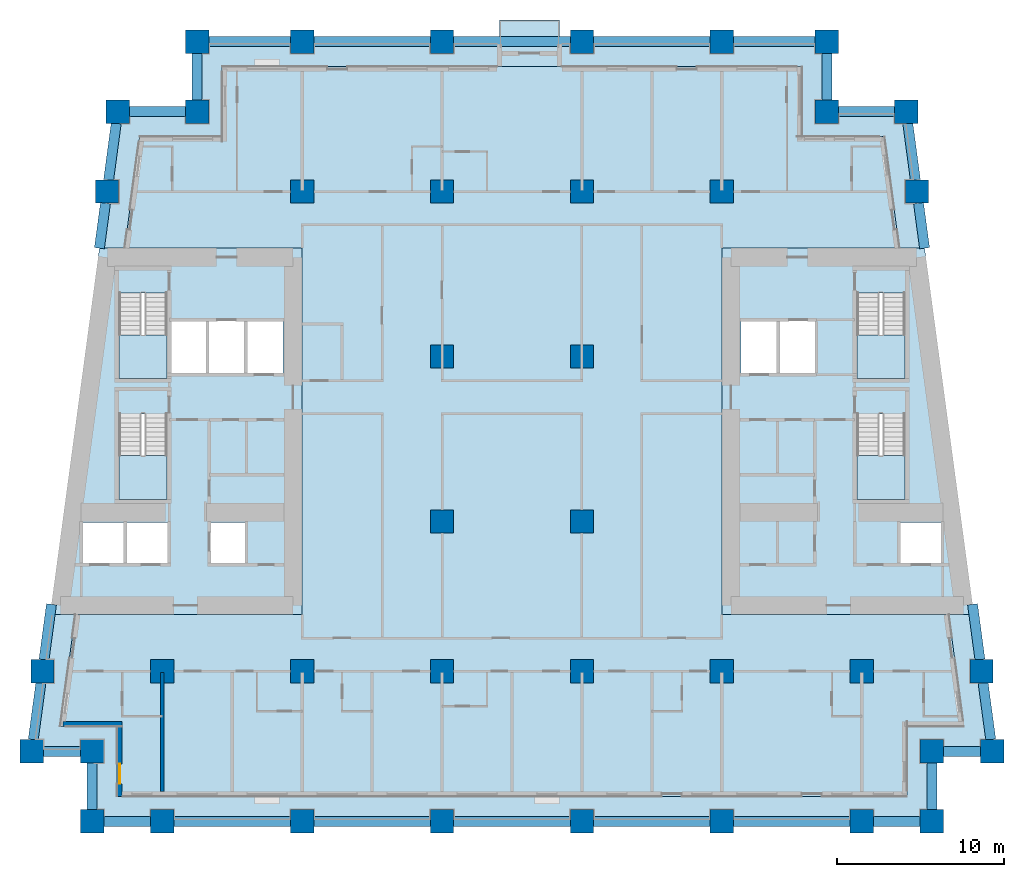
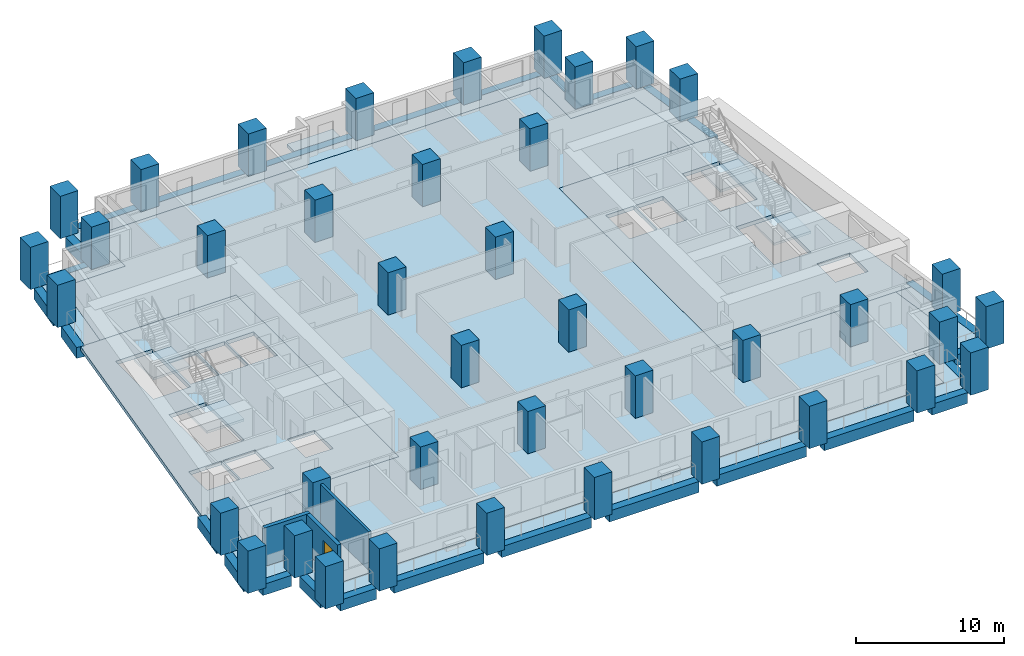
# One storey, part 1 of 12: 40 columns, 28 beams, 10 slabs, 3 walls, 1 door, 1 opening, 4 elements without a shape of their own.
"""IFC4 building model written with IfcOpenShell, lengths in metres."""

import ifcopenshell
import ifcopenshell.guid

model = None  # the IFC model being written
_history = None  # IfcOwnerHistory: only IFC2X3 demands one
_inside = {}  # id of a spatial element -> (the spatial element, [elements in it])
_under = {}  # id of a project, library or spatial element -> (it, [spatial elements below it])
_declared = {}  # id of a project -> (the project, [libraries it declares])
_typed = {}  # id of a type object -> (the type object, [elements of that type])
_made_of = {}  # id of a material, layer set ... -> (it, [elements and type objects made of it])


def new_model(schema):
    """Start an empty IFC model of exactly this schema.

    Asked for "IFC4X3", IfcOpenShell would pick the latest addendum, in which some entities
    have other attributes; the version numbers below select the first issue.
    IFC2X3 requires an IfcOwnerHistory on every rooted entity: one is made here for all.
    """
    global model, _history
    if schema == "IFC4X3":
        model = ifcopenshell.file(schema_version=(4, 3, 0, 0))
    else:
        model = ifcopenshell.file(schema=schema)
    _inside.clear()
    _under.clear()
    _declared.clear()
    _typed.clear()
    _made_of.clear()
    _history = None
    if model.schema == "IFC2X3":
        org = make("IfcOrganization", Name="unknown")
        user = make(
            "IfcPersonAndOrganization",
            ThePerson=make("IfcPerson", FamilyName="unknown"),
            TheOrganization=org,
        )
        app = make(
            "IfcApplication",
            ApplicationDeveloper=org,
            Version="unknown",
            ApplicationFullName="unknown",
            ApplicationIdentifier="unknown",
        )
        _history = make(
            "IfcOwnerHistory",
            OwningUser=user,
            OwningApplication=app,
            ChangeAction="ADDED",
            CreationDate=0,
        )
    return model


def make(cls, **values):
    """One entity of the class cls with the attributes given. An attribute that is None is left unset."""
    return model.create_entity(
        cls, **{name: value for name, value in values.items() if value is not None}
    )


def rooted(cls, **values):
    """An entity with a GlobalId (a new one), such as an element, a storey or a relation."""
    return make(cls, GlobalId=ifcopenshell.guid.new(), OwnerHistory=_history, **values)


def si_unit(unit_type, name, prefix=None):
    """IfcSIUnit, for example si_unit("LENGTHUNIT", "METRE", prefix="MILLI")."""
    return make("IfcSIUnit", UnitType=unit_type, Prefix=prefix, Name=name)


def assignment(units):
    """IfcUnitAssignment: the units of a project."""
    return None if units is None else make("IfcUnitAssignment", Units=units)


def point(xyz):
    """IfcCartesianPoint."""
    return None if xyz is None else make("IfcCartesianPoint", Coordinates=xyz)


def direction(xyz):
    """IfcDirection."""
    return None if xyz is None else make("IfcDirection", DirectionRatios=xyz)


def frame(location, z_axis=None, x_axis=None):
    """IfcAxis2Placement3D, a coordinate frame: its origin and axes. An axis left out is left unset."""
    return make(
        "IfcAxis2Placement3D",
        Location=point(location),
        Axis=direction(z_axis),
        RefDirection=direction(x_axis),
    )


def frame_2d(location, x_axis=None):
    """IfcAxis2Placement2D, a coordinate frame in the plane: its origin and x axis."""
    return make(
        "IfcAxis2Placement2D", Location=point(location), RefDirection=direction(x_axis)
    )


def origin():
    """The frame at (0, 0, 0) with its axes left unset."""
    return frame((0.0, 0.0, 0.0))


def origin_2d():
    """The frame at (0, 0) in the plane with its x axis left unset."""
    return frame_2d((0.0, 0.0))


def place(relative_to, where):
    """IfcLocalPlacement: puts the frame where relative to a parent placement (None: the world)."""
    return make(
        "IfcLocalPlacement", PlacementRelTo=relative_to, RelativePlacement=where
    )


def context(
    kind, dimensions, precision=None, world=None, true_north=None, identifier=None
):
    """IfcGeometricRepresentationContext, for example the 3D "Model" context."""
    return make(
        "IfcGeometricRepresentationContext",
        ContextIdentifier=identifier,
        ContextType=kind,
        CoordinateSpaceDimension=dimensions,
        Precision=precision,
        WorldCoordinateSystem=world,
        TrueNorth=true_north,
    )


def subcontext(parent, identifier, kind, view, scale=None):
    """IfcGeometricRepresentationSubContext, for example "Body" below "Model"."""
    return make(
        "IfcGeometricRepresentationSubContext",
        ContextIdentifier=identifier,
        ContextType=kind,
        ParentContext=parent,
        TargetScale=scale,
        TargetView=view,
    )


def project(units=None, contexts=None):
    """IfcProject with its units and contexts."""
    return rooted(
        "IfcProject",
        Name="project",
        RepresentationContexts=contexts,
        UnitsInContext=assignment(units),
    )


def spatial(cls, under=None, at=None, **own):
    """A site, building, storey or space (cls), placed at a placement, below another one or the project."""
    s = rooted(cls, ObjectPlacement=at, **own)
    if under is not None:
        _under.setdefault(under.id(), (under, []))[1].append(s)
    return s


def polyline(points):
    """IfcPolyline through the points."""
    return make("IfcPolyline", Points=[point(p) for p in points])


def profile(cls, at=None, kind="AREA", **sizes):
    """A parametric profile (cls). Its sizes go by their IFC names, for example OverallWidth=200.0."""
    return make(cls, ProfileType=kind, Position=at, **sizes)


def rectangle(**sizes):
    """IfcRectangleProfileDef."""
    return profile("IfcRectangleProfileDef", **sizes)


def outline(outer, holes=None, kind="AREA"):
    """IfcArbitraryClosedProfileDef: a profile drawn as a closed curve; with holes, ...WithVoids."""
    if holes is None:
        return make("IfcArbitraryClosedProfileDef", ProfileType=kind, OuterCurve=outer)
    return make(
        "IfcArbitraryProfileDefWithVoids",
        ProfileType=kind,
        OuterCurve=outer,
        InnerCurves=holes,
    )


def extrude(swept, where, along, depth):
    """IfcExtrudedAreaSolid: the profile swept, set in the frame where, extruded along a direction by depth."""
    return make(
        "IfcExtrudedAreaSolid",
        SweptArea=swept,
        Position=where,
        ExtrudedDirection=direction(along),
        Depth=depth,
    )


def shape(context_of_items, identifier, shape_type, items):
    """IfcShapeRepresentation: the items that make up one representation, for example the "Body"."""
    return make(
        "IfcShapeRepresentation",
        ContextOfItems=context_of_items,
        RepresentationIdentifier=identifier,
        RepresentationType=shape_type,
        Items=items,
    )


def material(Name=None, Category=None):
    """IfcMaterial."""
    return make("IfcMaterial", Name=Name, Category=Category)


def layer(
    of_material, thickness, ventilated=None, Name=None, Category=None, Priority=None
):
    """IfcMaterialLayer: one layer of a wall or slab, of a material (None: an air gap)."""
    return make(
        "IfcMaterialLayer",
        Material=of_material,
        LayerThickness=thickness,
        IsVentilated=ventilated,
        Name=Name,
        Category=Category,
        Priority=Priority,
    )


def layer_set(layers, Name=None):
    """IfcMaterialLayerSet."""
    return make("IfcMaterialLayerSet", MaterialLayers=layers, LayerSetName=Name)


def material_profile(
    of_material, cross_section, Name=None, Category=None, Priority=None
):
    """IfcMaterialProfile: a cross section and its material."""
    return make(
        "IfcMaterialProfile",
        Name=Name,
        Material=of_material,
        Profile=cross_section,
        Priority=Priority,
        Category=Category,
    )


def profile_set(profiles, Name=None, composite=None):
    """IfcMaterialProfileSet."""
    return make(
        "IfcMaterialProfileSet",
        Name=Name,
        MaterialProfiles=profiles,
        CompositeProfile=composite,
    )


def made_of(thing, what):
    """Note that an element or type object is made of a material, layer set ...; save() writes the relation."""
    if what is not None:
        _made_of.setdefault(what.id(), (what, []))[1].append(thing)
    return thing


def type_object(cls, material=None, **own):
    """A type object (cls), such as IfcWallType, which elements share."""
    return made_of(rooted(cls, **own), material)


def element(
    cls,
    number,
    at=None,
    inside=None,
    cuts=None,
    type_object=None,
    material=None,
    context=None,
    identifier="Body",
    shape_type=None,
    held_by="IfcProductDefinitionShape",
    body=None,
    shapes=None,
    **own,
):
    """One element of the class cls, such as IfcWall. Its Tag is "e" and its number.

    at: its placement. inside: the storey or other place that contains it. cuts: it is an
    opening in that element (IfcRelVoidsElement). A single representation is given by context,
    identifier, shape_type and body (its items); several are given by shapes. held_by: the class
    of the entity that holds the representations. save() writes the other relations.
    """
    e = rooted(cls, Tag="e%d" % number, ObjectPlacement=at, **own)
    if body is not None:
        shapes = [shape(context, identifier, shape_type, body)]
    if shapes is not None:
        e.Representation = make(held_by, Representations=shapes)
    if inside is not None:
        _inside.setdefault(inside.id(), (inside, []))[1].append(e)
    if cuts is not None:
        rooted(
            "IfcRelVoidsElement", RelatingBuildingElement=cuts, RelatedOpeningElement=e
        )
    if type_object is not None:
        _typed.setdefault(type_object.id(), (type_object, []))[1].append(e)
    return made_of(e, material)


def fill(opening, filler):
    """IfcRelFillsElement: the door or window that sits in an opening."""
    return rooted(
        "IfcRelFillsElement",
        RelatingOpeningElement=opening,
        RelatedBuildingElement=filler,
    )


def aggregate(whole, parts):
    """IfcRelAggregates: a whole, such as a stair, and the parts it consists of."""
    return rooted("IfcRelAggregates", RelatingObject=whole, RelatedObjects=parts)


def save(model, path):
    """Write the relations noted so far, then the file.

    IfcRelAggregates (storeys below a building ...), IfcRelContainedInSpatialStructure (elements
    in a storey), IfcRelDefinesByType, IfcRelAssociatesMaterial and IfcRelDeclares: one each for
    every whole, place, type object, material and project.
    """
    for whole, parts in _under.values():
        aggregate(whole, parts)
    for where, things in _inside.values():
        rooted(
            "IfcRelContainedInSpatialStructure",
            RelatedElements=things,
            RelatingStructure=where,
        )
    for kind, things in _typed.values():
        rooted("IfcRelDefinesByType", RelatedObjects=things, RelatingType=kind)
    for what, things in _made_of.values():
        rooted("IfcRelAssociatesMaterial", RelatedObjects=things, RelatingMaterial=what)
    for by, libraries in _declared.values():
        rooted("IfcRelDeclares", RelatingContext=by, RelatedDefinitions=libraries)
    model.write(path)


model = new_model("IFC4")

# Units and contexts
model_context = context("Model", 3, precision=1e-05, world=origin(), true_north=direction((0.0, 1.0)))
body_context = subcontext(model_context, "Body", "Model", "MODEL_VIEW")
ifc_project = project(units=[si_unit("LENGTHUNIT", "METRE"), si_unit("AREAUNIT", "SQUARE_METRE"), si_unit("VOLUMEUNIT", "CUBIC_METRE"), si_unit("PLANEANGLEUNIT", "RADIAN"), si_unit("MASSUNIT", "GRAM", prefix="KILO")], contexts=[model_context])

# Site, building, storey
site_placement = place(None, origin())
site = spatial("IfcSite", under=ifc_project, at=site_placement, CompositionType="ELEMENT")
building_placement = place(site_placement, origin())
building = spatial("IfcBuilding", under=site, at=building_placement, Name="Candeia Pilgrim Tower and Theatre", CompositionType="ELEMENT")
storey_placement = place(building_placement, frame((0.0, 0.0, 49.5)))
storey = spatial("IfcBuildingStorey", under=building, at=storey_placement, Name="L09", CompositionType="ELEMENT", Elevation=49.5)

# Columns
ifc_material_1 = material(Name="Concrete C80/95", Category="concrete")
ifc_material_profile_1 = material_profile(ifc_material_1, rectangle(XDim=1.39990234375, YDim=1.39990234375, at=origin_2d()))
ifc_profile_set_1 = profile_set([ifc_material_profile_1], Name="Concrete C80/95")
column_type = type_object("IfcColumnType", Name="RC 1400x1400 C80/95", PredefinedType="COLUMN", material=ifc_profile_set_1)
for number, where, z_axis, x_axis, name in (
    (1, (92.39990234375, 98.0, 0.0), (0.0, 0.0, 1.0), (1.0, 0.0, 0.0), "Column A1"),
    (2, (100.800048828125, 98.0, 0.0), (0.0, 0.0, 1.0), (1.0, 0.0, 0.0), "Column A2"),
    (3, (109.199951171875, 98.0, 0.0), (0.0, 0.0, 1.0), (1.0, 0.0, 0.0), "Column A3"),
    (4, (117.60009765625, 98.0, 0.0), (0.0, 0.0, 1.0), (1.0, 0.0, 0.0), "Column A4"),
    (5, (126.0, 98.0, 0.0), (0.0, 0.0, 1.0), (1.0, 0.0, 0.0), "Column A5"),
    (6, (134.39990234375, 98.0, 0.0), (0.0, 0.0, 1.0), (1.0, 0.0, 0.0), "Column A6"),
    (7, (88.199951171875, 98.0, 0.0), (0.0, 0.0, 1.0), (1.0, 0.0, 0.0), "Column AW"),
    (8, (138.60009765625, 98.0, 0.0), (0.0, 0.0, 1.0), (1.0, 0.0, 0.0), "Column AE"),
    (9, (88.199951171875, 102.199951171875, 0.0), (0.0, 0.0, 1.0), (1.0, 0.0, 0.0), "Column NSW"),
    (10, (138.60009765625, 102.199951171875, 0.0), (0.0, 0.0, 1.0), (1.0, 0.0, 0.0), "Column NSE"),
    (11, (94.5, 140.60009765625, 0.0), (0.0, 0.0, 1.0), (1.0, 0.0, 0.0), "Column NNW"),
    (12, (132.300048828125, 140.60009765625, 0.0), (0.0, 0.0, 1.0), (1.0, 0.0, 0.0), "Column NNE"),
    (13, (84.5654296875, 102.199951171875, 0.0), (0.0, 0.0, 1.0), (1.0, 0.0, 0.0), "Column LSW"),
    (14, (142.234619140625, 102.199951171875, 0.0), (0.0, 0.0, 1.0), (1.0, 0.0, 0.0), "Column LSE"),
    (15, (89.734619140625, 140.60009765625, 0.0), (0.0, 0.0, 1.0), (1.0, 0.0, 0.0), "Column LNW"),
    (16, (137.0654296875, 140.60009765625, 0.0), (0.0, 0.0, 1.0), (1.0, 0.0, 0.0), "Column LNE"),
    (17, (92.39990234375, 107.0, 0.0), (0.0, 0.0, 1.0), (1.0, 0.0, 0.0), "Column B1"),
    (18, (100.800048828125, 107.0, 0.0), (0.0, 0.0, 1.0), (1.0, 0.0, 0.0), "Column B2"),
    (19, (109.199951171875, 107.0, 0.0), (0.0, 0.0, 1.0), (1.0, 0.0, 0.0), "Column B3"),
    (20, (117.60009765625, 107.0, 0.0), (0.0, 0.0, 1.0), (1.0, 0.0, 0.0), "Column B4"),
    (21, (126.0, 107.0, 0.0), (0.0, 0.0, 1.0), (1.0, 0.0, 0.0), "Column B5"),
    (22, (134.39990234375, 107.0, 0.0), (0.0, 0.0, 1.0), (1.0, 0.0, 0.0), "Column B6"),
    (23, (85.21142578125, 107.0, 0.0), (0.0, 0.0, 1.0), (1.0, 0.0, 0.0), "Column BW"),
    (24, (141.58837890625, 107.0, 0.0), (0.0, 0.0, 1.0), (1.0, 0.0, 0.0), "Column BE"),
    (25, (109.199951171875, 116.0, 0.0), (0.0, 0.0, 1.0), (1.0, 0.0, 0.0), "Column C3"),
    (26, (117.60009765625, 116.0, 0.0), (0.0, 0.0, 1.0), (1.0, 0.0, 0.0), "Column C4"),
    (27, (109.199951171875, 125.89990234375, 0.0), (0.0, 0.0, 1.0), (1.0, 0.0, 0.0), "Column D3"),
    (28, (117.60009765625, 125.89990234375, 0.0), (0.0, 0.0, 1.0), (1.0, 0.0, 0.0), "Column D4"),
    (29, (100.800048828125, 135.800048828125, 0.0), (0.0, 0.0, 1.0), (1.0, 0.0, 0.0), "Column E2"),
    (30, (109.199951171875, 135.800048828125, 0.0), (0.0, 0.0, 1.0), (1.0, 0.0, 0.0), "Column E3"),
    (31, (117.60009765625, 135.800048828125, 0.0), (0.0, 0.0, 1.0), (1.0, 0.0, 0.0), "Column E4"),
    (32, (126.0, 135.800048828125, 0.0), (0.0, 0.0, 1.0), (1.0, 0.0, 0.0), "Column E5"),
    (33, (89.08837890625, 135.800048828125, 0.0), (0.0, 0.0, 1.0), (1.0, 0.0, 0.0), "Column EW"),
    (34, (137.71142578125, 135.800048828125, 0.0), (0.0, 0.0, 1.0), (1.0, 0.0, 0.0), "Column EE"),
    (35, (100.800048828125, 144.800048828125, 0.0), (0.0, 0.0, 1.0), (1.0, 0.0, 0.0), "Column F2"),
    (36, (109.199951171875, 144.800048828125, 0.0), (0.0, 0.0, 1.0), (1.0, 0.0, 0.0), "Column F3"),
    (37, (117.60009765625, 144.800048828125, 0.0), (0.0, 0.0, 1.0), (1.0, 0.0, 0.0), "Column F4"),
    (38, (126.0, 144.800048828125, 0.0), (0.0, 0.0, 1.0), (1.0, 0.0, 0.0), "Column F5"),
    (39, (94.5, 144.800048828125, 0.0), (0.0, 0.0, 1.0), (1.0, 0.0, 0.0), "Column FW"),
    (40, (132.300048828125, 144.800048828125, 0.0), (0.0, 0.0, 1.0), (1.0, 0.0, 0.0), "Column FE"),
):
    element("IfcColumn", number, at=place(storey_placement, frame(where, z_axis=z_axis, x_axis=x_axis)), inside=storey, type_object=column_type, Name=name, PredefinedType="COLUMN", context=body_context, shape_type="SweptSolid", body=[
        extrude(rectangle(XDim=1.39990234375, YDim=1.39990234375, at=origin_2d()), origin(), (0.0, 0.0, 1.0), 3.5),
    ])

# Beams
ifc_material_profile_2 = material_profile(ifc_material_1, rectangle(XDim=0.60009765625, YDim=0.89990234375, at=origin_2d()))
ifc_profile_set_2 = profile_set([ifc_material_profile_2], Name="Concrete C80/95")
beam_type = type_object("IfcBeamType", Name="RC 600x900 C80/95", PredefinedType="BEAM", material=ifc_profile_set_2)
beam_1_placement = place(storey_placement, frame((88.89990234375, 98.0, -0.449951171875), z_axis=(1.0, 0.0, 0.0), x_axis=(0.0, 1.0, 0.0)))
element("IfcBeam", 41, at=beam_1_placement, inside=storey, type_object=beam_type, Name="Spandrel beam L09-01", PredefinedType="BEAM", context=body_context, shape_type="SweptSolid", body=[
    extrude(rectangle(XDim=0.60009765625, YDim=0.89990234375, at=origin_2d()), origin(), (0.0, 0.0, 1.0), 2.800048828125),
])
for number, where, z_axis, x_axis, name in (
    (42, (93.10009765625, 98.0, -0.449951171875), (1.0, 0.0, 0.0), (0.0, 1.0, 0.0), "Spandrel beam L09-02"),
    (43, (101.5, 98.0, -0.449951171875), (1.0, 0.0, 0.0), (0.0, 1.0, 0.0), "Spandrel beam L09-03"),
    (44, (109.89990234375, 98.0, -0.449951171875), (1.0, 0.0, 0.0), (0.0, 1.0, 0.0), "Spandrel beam L09-04"),
    (45, (118.300048828125, 98.0, -0.449951171875), (1.0, 0.0, 0.0), (0.0, 1.0, 0.0), "Spandrel beam L09-05"),
    (46, (126.699951171875, 98.0, -0.449951171875), (1.0, 0.0, 0.0), (0.0, 1.0, 0.0), "Spandrel beam L09-06"),
):
    element("IfcBeam", number, at=place(storey_placement, frame(where, z_axis=z_axis, x_axis=x_axis)), inside=storey, type_object=beam_type, Name=name, PredefinedType="BEAM", context=body_context, shape_type="SweptSolid", body=[
        extrude(rectangle(XDim=0.60009765625, YDim=0.89990234375, at=origin_2d()), origin(), (0.0, 0.0, 1.0), 7.0),
    ])
beam_2_placement = place(storey_placement, frame((135.10009765625, 98.0, -0.449951171875), z_axis=(1.0, 0.0, 0.0), x_axis=(0.0, 1.0, 0.0)))
element("IfcBeam", 47, at=beam_2_placement, inside=storey, type_object=beam_type, Name="Spandrel beam L09-07", PredefinedType="BEAM", context=body_context, shape_type="SweptSolid", body=[
    extrude(rectangle(XDim=0.60009765625, YDim=0.89990234375, at=origin_2d()), origin(), (0.0, 0.0, 1.0), 2.7998046875),
])
beam_3_placement = place(storey_placement, frame((138.60009765625, 98.699951171875, -0.449951171875), z_axis=(0.0, 1.0, 0.0), x_axis=(-1.0, 0.0, 0.0)))
element("IfcBeam", 48, at=beam_3_placement, inside=storey, type_object=beam_type, Name="Spandrel beam L09-08", PredefinedType="BEAM", context=body_context, shape_type="SweptSolid", body=[
    extrude(rectangle(XDim=0.60009765625, YDim=0.89990234375, at=origin_2d()), origin(), (0.0, 0.0, 1.0), 2.800048828125),
])
beam_4_placement = place(storey_placement, frame((139.300048828125, 102.199951171875, -0.449951171875), z_axis=(1.0, 0.0, 0.0), x_axis=(0.0, 1.0, 0.0)))
element("IfcBeam", 49, at=beam_4_placement, inside=storey, type_object=beam_type, Name="Spandrel beam L09-09", PredefinedType="BEAM", context=body_context, shape_type="SweptSolid", body=[
    extrude(rectangle(XDim=0.60009765625, YDim=0.89990234375, at=origin_2d()), origin(), (0.0, 0.0, 1.0), 2.234619140625),
])
beam_5_placement = place(storey_placement, frame((142.140380859375, 102.89990234375, -0.449951171875), z_axis=(-0.133426797477, 0.991058671177, 0.0), x_axis=(-0.991058671177, -0.133426797477, 0.0)))
element("IfcBeam", 50, at=beam_5_placement, inside=storey, type_object=beam_type, Name="Spandrel beam L09-10", PredefinedType="BEAM", context=body_context, shape_type="SweptSolid", body=[
    extrude(rectangle(XDim=0.60009765625, YDim=0.89990234375, at=origin_2d()), origin(), (0.0, 0.0, 1.0), 3.430908203125),
])
beam_6_placement = place(storey_placement, frame((141.494140625, 107.699951171875, -0.449951171875), z_axis=(-0.13337488337, 0.991065659019, 0.0), x_axis=(-0.991065659019, -0.13337488337, 0.0)))
element("IfcBeam", 51, at=beam_6_placement, inside=storey, type_object=beam_type, Name="Spandrel beam L09-11", PredefinedType="BEAM", context=body_context, shape_type="SweptSolid", body=[
    extrude(rectangle(XDim=0.60009765625, YDim=0.89990234375, at=origin_2d()), origin(), (0.0, 0.0, 1.0), 3.353515625),
])
beam_7_placement = place(storey_placement, frame((138.169189453125, 132.39990234375, -0.449951171875), z_axis=(-0.133425552527, 0.991058838784, 0.0), x_axis=(-0.991058838784, -0.133425552527, 0.0)))
element("IfcBeam", 52, at=beam_7_placement, inside=storey, type_object=beam_type, Name="Spandrel beam L09-12", PredefinedType="BEAM", context=body_context, shape_type="SweptSolid", body=[
    extrude(rectangle(XDim=0.60009765625, YDim=0.89990234375, at=origin_2d()), origin(), (0.0, 0.0, 1.0), 2.724609375),
])
beam_8_placement = place(storey_placement, frame((137.6171875, 136.5, -0.449951171875), z_axis=(-0.13336630817, 0.991066813008, 0.0), x_axis=(-0.991066813008, -0.13336630817, 0.0)))
element("IfcBeam", 53, at=beam_8_placement, inside=storey, type_object=beam_type, Name="Spandrel beam L09-13", PredefinedType="BEAM", context=body_context, shape_type="SweptSolid", body=[
    extrude(rectangle(XDim=0.60009765625, YDim=0.89990234375, at=origin_2d()), origin(), (0.0, 0.0, 1.0), 3.4306640625),
])
beam_9_placement = place(storey_placement, frame((136.365478515625, 140.60009765625, -0.449951171875), z_axis=(-1.0, 0.0, 0.0), x_axis=(0.0, -1.0, 0.0)))
element("IfcBeam", 54, at=beam_9_placement, inside=storey, type_object=beam_type, Name="Spandrel beam L09-14", PredefinedType="BEAM", context=body_context, shape_type="SweptSolid", body=[
    extrude(rectangle(XDim=0.60009765625, YDim=0.89990234375, at=origin_2d()), origin(), (0.0, 0.0, 1.0), 3.365478515625),
])
beam_10_placement = place(storey_placement, frame((132.300048828125, 141.300048828125, -0.449951171875), z_axis=(0.0, 1.0, 0.0), x_axis=(-1.0, 0.0, 0.0)))
element("IfcBeam", 55, at=beam_10_placement, inside=storey, type_object=beam_type, Name="Spandrel beam L09-15", PredefinedType="BEAM", context=body_context, shape_type="SweptSolid", body=[
    extrude(rectangle(XDim=0.60009765625, YDim=0.89990234375, at=origin_2d()), origin(), (0.0, 0.0, 1.0), 2.800048828125),
])
beam_11_placement = place(storey_placement, frame((131.60009765625, 144.800048828125, -0.449951171875), z_axis=(-1.0, 0.0, 0.0), x_axis=(0.0, -1.0, 0.0)))
element("IfcBeam", 56, at=beam_11_placement, inside=storey, type_object=beam_type, Name="Spandrel beam L09-16", PredefinedType="BEAM", context=body_context, shape_type="SweptSolid", body=[
    extrude(rectangle(XDim=0.60009765625, YDim=0.89990234375, at=origin_2d()), origin(), (0.0, 0.0, 1.0), 4.900146484375),
])
for number, where, z_axis, x_axis, name in (
    (57, (125.300048828125, 144.800048828125, -0.449951171875), (-1.0, 0.0, 0.0), (0.0, -1.0, 0.0), "Spandrel beam L09-17"),
    (58, (116.89990234375, 144.800048828125, -0.449951171875), (-1.0, 0.0, 0.0), (0.0, -1.0, 0.0), "Spandrel beam L09-18"),
    (59, (108.5, 144.800048828125, -0.449951171875), (-1.0, 0.0, 0.0), (0.0, -1.0, 0.0), "Spandrel beam L09-19"),
):
    element("IfcBeam", number, at=place(storey_placement, frame(where, z_axis=z_axis, x_axis=x_axis)), inside=storey, type_object=beam_type, Name=name, PredefinedType="BEAM", context=body_context, shape_type="SweptSolid", body=[
        extrude(rectangle(XDim=0.60009765625, YDim=0.89990234375, at=origin_2d()), origin(), (0.0, 0.0, 1.0), 7.0),
    ])
beam_12_placement = place(storey_placement, frame((100.10009765625, 144.800048828125, -0.449951171875), z_axis=(-1.0, 0.0, 0.0), x_axis=(0.0, -1.0, 0.0)))
element("IfcBeam", 60, at=beam_12_placement, inside=storey, type_object=beam_type, Name="Spandrel beam L09-20", PredefinedType="BEAM", context=body_context, shape_type="SweptSolid", body=[
    extrude(rectangle(XDim=0.60009765625, YDim=0.89990234375, at=origin_2d()), origin(), (0.0, 0.0, 1.0), 4.900146484375),
])
beam_13_placement = place(storey_placement, frame((94.5, 144.10009765625, -0.449951171875), z_axis=(0.0, -1.0, 0.0), x_axis=(1.0, 0.0, 0.0)))
element("IfcBeam", 61, at=beam_13_placement, inside=storey, type_object=beam_type, Name="Spandrel beam L09-21", PredefinedType="BEAM", context=body_context, shape_type="SweptSolid", body=[
    extrude(rectangle(XDim=0.60009765625, YDim=0.89990234375, at=origin_2d()), origin(), (0.0, 0.0, 1.0), 2.800048828125),
])
beam_14_placement = place(storey_placement, frame((93.800048828125, 140.60009765625, -0.449951171875), z_axis=(-1.0, 0.0, 0.0), x_axis=(0.0, -1.0, 0.0)))
element("IfcBeam", 62, at=beam_14_placement, inside=storey, type_object=beam_type, Name="Spandrel beam L09-22", PredefinedType="BEAM", context=body_context, shape_type="SweptSolid", body=[
    extrude(rectangle(XDim=0.60009765625, YDim=0.89990234375, at=origin_2d()), origin(), (0.0, 0.0, 1.0), 3.365478515625),
])
beam_15_placement = place(storey_placement, frame((89.640380859375, 139.89990234375, -0.449951171875), z_axis=(-0.133436208017, -0.991057404185, 0.0), x_axis=(0.991057404185, -0.133436208017, 0.0)))
element("IfcBeam", 63, at=beam_15_placement, inside=storey, type_object=beam_type, Name="Spandrel beam L09-23", PredefinedType="BEAM", context=body_context, shape_type="SweptSolid", body=[
    extrude(rectangle(XDim=0.60009765625, YDim=0.89990234375, at=origin_2d()), origin(), (0.0, 0.0, 1.0), 3.4306640625),
])
beam_16_placement = place(storey_placement, frame((88.994140625, 135.10009765625, -0.449951171875), z_axis=(-0.133337538686, -0.991070684047, 0.0), x_axis=(0.991070684047, -0.133337538686, 0.0)))
element("IfcBeam", 64, at=beam_16_placement, inside=storey, type_object=beam_type, Name="Spandrel beam L09-24", PredefinedType="BEAM", context=body_context, shape_type="SweptSolid", body=[
    extrude(rectangle(XDim=0.60009765625, YDim=0.89990234375, at=origin_2d()), origin(), (0.0, 0.0, 1.0), 2.724609375),
])
beam_17_placement = place(storey_placement, frame((85.753173828125, 111.0234375, -0.449951171875), z_axis=(-0.133446390132, -0.991056033209, 0.0), x_axis=(0.991056033209, -0.133446390132, 0.0)))
element("IfcBeam", 65, at=beam_17_placement, inside=storey, type_object=beam_type, Name="Spandrel beam L09-25", PredefinedType="BEAM", context=body_context, shape_type="SweptSolid", body=[
    extrude(rectangle(XDim=0.60009765625, YDim=0.89990234375, at=origin_2d()), origin(), (0.0, 0.0, 1.0), 3.353515625),
])
beam_18_placement = place(storey_placement, frame((85.1171875, 106.300048828125, -0.449951171875), z_axis=(-0.133356902381, -0.991068078685, 0.0), x_axis=(0.991068078685, -0.133356902381, 0.0)))
element("IfcBeam", 66, at=beam_18_placement, inside=storey, type_object=beam_type, Name="Spandrel beam L09-26", PredefinedType="BEAM", context=body_context, shape_type="SweptSolid", body=[
    extrude(rectangle(XDim=0.60009765625, YDim=0.89990234375, at=origin_2d()), origin(), (0.0, 0.0, 1.0), 3.430908203125),
])
beam_19_placement = place(storey_placement, frame((85.265380859375, 102.199951171875, -0.449951171875), z_axis=(1.0, 0.0, 0.0), x_axis=(0.0, 1.0, 0.0)))
element("IfcBeam", 67, at=beam_19_placement, inside=storey, type_object=beam_type, Name="Spandrel beam L09-27", PredefinedType="BEAM", context=body_context, shape_type="SweptSolid", body=[
    extrude(rectangle(XDim=0.60009765625, YDim=0.89990234375, at=origin_2d()), origin(), (0.0, 0.0, 1.0), 2.234619140625),
])
beam_20_placement = place(storey_placement, frame((88.199951171875, 101.5, -0.449951171875), z_axis=(0.0, -1.0, 0.0), x_axis=(1.0, 0.0, 0.0)))
element("IfcBeam", 68, at=beam_20_placement, inside=storey, type_object=beam_type, Name="Spandrel beam L09-28", PredefinedType="BEAM", context=body_context, shape_type="SweptSolid", body=[
    extrude(rectangle(XDim=0.60009765625, YDim=0.89990234375, at=origin_2d()), origin(), (0.0, 0.0, 1.0), 2.800048828125),
])

# Slabs
ifc_material_2 = material(Name="Concrete C40/50", Category="concrete")
ifc_layer_1 = layer(ifc_material_2, 0.25)
ifc_layer_set_1 = layer_set([ifc_layer_1], Name="BK1 balcony slab 250")
slab_type_1 = type_object("IfcSlabType", Name="BK1 balcony slab 250", PredefinedType="USERDEFINED", material=ifc_layer_set_1)
slab_1_placement = place(storey_placement, frame((0.0, 0.0, -0.25)))
element("IfcSlab", 69, at=slab_1_placement, inside=storey, type_object=slab_type_1, Name="Balcony L09", ObjectType="BALCONY", PredefinedType="USERDEFINED", context=body_context, shape_type="SweptSolid", body=[
    extrude(outline(polyline([(112.64990234375, 144.5), (116.25, 144.5), (116.25, 146.10009765625), (112.64990234375, 146.10009765625), (112.64990234375, 144.5)])), origin(), (0.0, 0.0, 1.0), 0.25),
])
ifc_material_3 = material(Name="Concrete C60/75", Category="concrete")
ifc_layer_2 = layer(ifc_material_3, 0.320068359375)
ifc_layer_set_2 = layer_set([ifc_layer_2], Name="FS-CORE 320 core floor")
slab_type_2 = type_object("IfcSlabType", Name="FS-CORE 320 core floor", PredefinedType="FLOOR", material=ifc_layer_set_2)
slab_2_placement = place(storey_placement, frame((0.0, 0.0, -0.320068359375)))
element("IfcSlab", 70, at=slab_2_placement, inside=storey, type_object=slab_type_2, Name="Core floor W L09", PredefinedType="FLOOR", context=body_context, shape_type="SweptSolid", body=[
    extrude(outline(polyline([(100.800048828125, 132.39990234375), (100.800048828125, 110.39990234375), (85.669189453125, 110.39990234375), (88.630859375, 132.39990234375), (100.800048828125, 132.39990234375)]), holes=[polyline([(97.458984375, 128.050048828125), (97.458984375, 124.85009765625), (99.64990234375, 124.85009765625), (99.64990234375, 128.050048828125), (97.458984375, 128.050048828125)]), polyline([(95.277099609375, 115.949951171875), (95.277099609375, 113.449951171875), (97.41357421875, 113.449951171875), (97.41357421875, 115.949951171875), (95.277099609375, 115.949951171875)]), polyline([(95.16796875, 128.050048828125), (95.16796875, 124.85009765625), (97.35888671875, 124.85009765625), (97.35888671875, 128.050048828125), (95.16796875, 128.050048828125)]), polyline([(92.876953125, 128.050048828125), (92.876953125, 124.85009765625), (95.068115234375, 124.85009765625), (95.068115234375, 128.050048828125), (92.876953125, 128.050048828125)]), polyline([(90.228515625, 115.949951171875), (90.228515625, 113.449951171875), (92.777099609375, 113.449951171875), (92.777099609375, 115.949951171875), (90.228515625, 115.949951171875)]), polyline([(89.802001953125, 122.455078125), (89.802001953125, 117.324951171875), (92.701904296875, 117.324951171875), (92.701904296875, 122.455078125), (89.802001953125, 122.455078125)]), polyline([(89.802001953125, 129.705078125), (89.802001953125, 124.574951171875), (92.701904296875, 124.574951171875), (92.701904296875, 129.705078125), (89.802001953125, 129.705078125)]), polyline([(87.580078125, 115.949951171875), (87.580078125, 113.449951171875), (90.12841796875, 113.449951171875), (90.12841796875, 115.949951171875), (87.580078125, 115.949951171875)])]), origin(), (0.0, 0.0, 1.0), 0.320068359375),
])
slab_3_placement = place(storey_placement, frame((0.0, 0.0, -0.320068359375)))
element("IfcSlab", 71, at=slab_3_placement, inside=storey, type_object=slab_type_2, Name="Core floor E L09", PredefinedType="FLOOR", context=body_context, shape_type="SweptSolid", body=[
    extrude(outline(polyline([(138.169189453125, 132.39990234375), (141.130859375, 110.39990234375), (126.0, 110.39990234375), (126.0, 132.39990234375), (138.169189453125, 132.39990234375)]), holes=[polyline([(136.67138671875, 115.949951171875), (136.67138671875, 113.449951171875), (139.219970703125, 113.449951171875), (139.219970703125, 115.949951171875), (136.67138671875, 115.949951171875)]), polyline([(134.097900390625, 117.324951171875), (136.998046875, 117.324951171875), (136.998046875, 122.455078125), (134.097900390625, 122.455078125), (134.097900390625, 117.324951171875)]), polyline([(134.097900390625, 129.705078125), (134.097900390625, 124.574951171875), (136.998046875, 124.574951171875), (136.998046875, 129.705078125), (134.097900390625, 129.705078125)]), polyline([(131.632080078125, 128.050048828125), (129.44091796875, 128.050048828125), (129.44091796875, 124.85009765625), (131.632080078125, 124.85009765625), (131.632080078125, 128.050048828125)]), polyline([(127.14990234375, 128.050048828125), (127.14990234375, 124.85009765625), (129.341064453125, 124.85009765625), (129.341064453125, 128.050048828125), (127.14990234375, 128.050048828125)])]), origin(), (0.0, 0.0, 1.0), 0.320068359375),
])
ifc_material_4 = material(Name="Concrete C50/60", Category="concrete")
ifc_layer_3 = layer(ifc_material_4, 0.320068359375)
ifc_layer_set_3 = layer_set([ifc_layer_3], Name="Floor slab 320 C50/60")
slab_type_3 = type_object("IfcSlabType", Name="Floor slab 320 C50/60", PredefinedType="FLOOR", material=ifc_layer_set_3)
slab_4_placement = place(storey_placement, frame((0.0, 0.0, -0.320068359375)))
element("IfcSlab", 72, at=slab_4_placement, inside=storey, type_object=slab_type_3, Name="Floor slab L09", PredefinedType="FLOOR", context=body_context, shape_type="SweptSolid", body=[
    extrude(outline(polyline([(96.0, 139.10009765625), (96.0, 143.300048828125), (130.800048828125, 143.300048828125), (130.800048828125, 139.10009765625), (135.753662109375, 139.10009765625), (136.65576171875, 132.39990234375), (126.0, 132.39990234375), (126.0, 110.39990234375), (139.6171875, 110.39990234375), (140.51904296875, 103.699951171875), (137.10009765625, 103.699951171875), (137.10009765625, 99.5), (89.699951171875, 99.5), (89.699951171875, 103.699951171875), (86.28076171875, 103.699951171875), (87.182861328125, 110.39990234375), (100.800048828125, 110.39990234375), (100.800048828125, 132.39990234375), (90.144287109375, 132.39990234375), (91.046142578125, 139.10009765625), (96.0, 139.10009765625)])), origin(), (0.0, 0.0, 1.0), 0.320068359375),
])
ifc_layer_4 = layer(ifc_material_2, 0.25)
ifc_layer_set_4 = layer_set([ifc_layer_4], Name="Loggia slab 250 C40/50")
slab_type_4 = type_object("IfcSlabType", Name="Loggia slab 250 C40/50", PredefinedType="FLOOR", material=ifc_layer_set_4)
slab_5_placement = place(storey_placement, frame((0.0, 0.0, -0.25)))
element("IfcSlab", 73, at=slab_5_placement, inside=storey, type_object=slab_type_4, Name="Loggia slab L09 1", PredefinedType="FLOOR", context=body_context, shape_type="SweptSolid", body=[
    extrude(outline(polyline([(87.182861328125, 110.39990234375), (86.28076171875, 103.699951171875), (89.699951171875, 103.699951171875), (89.699951171875, 99.5), (137.10009765625, 99.5), (137.10009765625, 103.699951171875), (140.51904296875, 103.699951171875), (139.6171875, 110.39990234375), (140.828125, 110.39990234375), (141.8916015625, 102.5), (138.300048828125, 102.5), (138.300048828125, 98.300048828125), (88.5, 98.300048828125), (88.5, 102.5), (84.908447265625, 102.5), (85.971923828125, 110.39990234375), (87.182861328125, 110.39990234375)])), origin(), (0.0, 0.0, 1.0), 0.25),
])
slab_6_placement = place(storey_placement, frame((0.0, 0.0, -0.25)))
element("IfcSlab", 74, at=slab_6_placement, inside=storey, type_object=slab_type_4, Name="Loggia slab L09 2", PredefinedType="FLOOR", context=body_context, shape_type="SweptSolid", body=[
    extrude(outline(polyline([(136.65576171875, 132.39990234375), (135.753662109375, 139.10009765625), (130.800048828125, 139.10009765625), (130.800048828125, 143.300048828125), (96.0, 143.300048828125), (96.0, 139.10009765625), (91.046142578125, 139.10009765625), (90.144287109375, 132.39990234375), (88.93359375, 132.39990234375), (89.996826171875, 140.300048828125), (94.800048828125, 140.300048828125), (94.800048828125, 144.5), (132.0, 144.5), (132.0, 140.300048828125), (136.802978515625, 140.300048828125), (137.866455078125, 132.39990234375), (136.65576171875, 132.39990234375)])), origin(), (0.0, 0.0, 1.0), 0.25),
])

# Stair, slab
stair_type = type_object("IfcStairType", Name="ST-TWR dog-leg escape stair", PredefinedType="HALF_TURN_STAIR", material=ifc_material_2)
stair_1_placement = place(storey_placement, origin())
stair_1 = element("IfcStair", 75, at=stair_1_placement, inside=storey, type_object=stair_type, Name="L09 Escape stair ST1", PredefinedType="HALF_TURN_STAIR")
ifc_layer_5 = layer(ifc_material_2, 0.199951171875)
ifc_layer_set_5 = layer_set([ifc_layer_5], Name="SL-LANDING stair landing")
slab_type_5 = type_object("IfcSlabType", Name="SL-LANDING stair landing", PredefinedType="LANDING", material=ifc_layer_set_5)
slab_7_placement = place(storey_placement, frame((0.0, 0.0, 1.550048828125)))
slab_7 = element("IfcSlab", 76, at=slab_7_placement, type_object=slab_type_5, Name="ST1 landing 1", PredefinedType="LANDING", context=body_context, shape_type="SweptSolid", body=[
    extrude(outline(polyline([(89.802001953125, 119.955078125), (89.802001953125, 117.324951171875), (92.701904296875, 117.324951171875), (92.701904296875, 119.955078125), (89.802001953125, 119.955078125)])), origin(), (0.0, 0.0, 1.0), 0.199951171875),
])
aggregate(stair_1, [slab_7])

stair_2_placement = place(storey_placement, origin())
stair_2 = element("IfcStair", 77, at=stair_2_placement, inside=storey, type_object=stair_type, Name="L09 Escape stair ST2", PredefinedType="HALF_TURN_STAIR")
slab_8_placement = place(storey_placement, frame((0.0, 0.0, 1.550048828125)))
slab_8 = element("IfcSlab", 78, at=slab_8_placement, type_object=slab_type_5, Name="ST2 landing 1", PredefinedType="LANDING", context=body_context, shape_type="SweptSolid", body=[
    extrude(outline(polyline([(89.802001953125, 127.205078125), (89.802001953125, 124.574951171875), (92.701904296875, 124.574951171875), (92.701904296875, 127.205078125), (89.802001953125, 127.205078125)])), origin(), (0.0, 0.0, 1.0), 0.199951171875),
])
aggregate(stair_2, [slab_8])

stair_3_placement = place(storey_placement, origin())
stair_3 = element("IfcStair", 79, at=stair_3_placement, inside=storey, type_object=stair_type, Name="L09 Escape stair ST3", PredefinedType="HALF_TURN_STAIR")
slab_9_placement = place(storey_placement, frame((0.0, 0.0, 1.550048828125)))
slab_9 = element("IfcSlab", 80, at=slab_9_placement, type_object=slab_type_5, Name="ST3 landing 1", PredefinedType="LANDING", context=body_context, shape_type="SweptSolid", body=[
    extrude(outline(polyline([(134.097900390625, 119.955078125), (134.097900390625, 117.324951171875), (136.998046875, 117.324951171875), (136.998046875, 119.955078125), (134.097900390625, 119.955078125)])), origin(), (0.0, 0.0, 1.0), 0.199951171875),
])
aggregate(stair_3, [slab_9])

stair_4_placement = place(storey_placement, origin())
stair_4 = element("IfcStair", 81, at=stair_4_placement, inside=storey, type_object=stair_type, Name="L09 Escape stair ST4", PredefinedType="HALF_TURN_STAIR")
slab_10_placement = place(storey_placement, frame((0.0, 0.0, 1.550048828125)))
slab_10 = element("IfcSlab", 82, at=slab_10_placement, type_object=slab_type_5, Name="ST4 landing 1", PredefinedType="LANDING", context=body_context, shape_type="SweptSolid", body=[
    extrude(outline(polyline([(134.097900390625, 127.205078125), (134.097900390625, 124.574951171875), (136.998046875, 124.574951171875), (136.998046875, 127.205078125), (134.097900390625, 127.205078125)])), origin(), (0.0, 0.0, 1.0), 0.199951171875),
])
aggregate(stair_4, [slab_10])

# Wall
ifc_material_5 = material(Name="Ceramic block masonry", Category="masonry")
ifc_layer_6 = layer(ifc_material_5, 0.300048828125)
ifc_layer_set_6 = layer_set([ifc_layer_6], Name="EW1 glazing-line wall 300")
wall_type_1 = type_object("IfcWallType", Name="EW1 glazing-line wall 300", PredefinedType="SOLIDWALL", material=ifc_layer_set_6)
wall_1_placement = place(storey_placement, frame((86.452392578125, 103.85009765625, 0.0), z_axis=(0.0, 0.0, 1.0), x_axis=(1.0, 0.0, 0.0)))
element("IfcWall", 83, at=wall_1_placement, inside=storey, type_object=wall_type_1, Name="External wall L09-10.0", PredefinedType="SOLIDWALL", context=body_context, shape_type="SweptSolid", body=[
    extrude(rectangle(XDim=3.547607421875, YDim=0.300048828125, at=frame_2d((1.77392578125, 0.0))), origin(), (0.0, 0.0, 1.0), 3.179931640625),
])

# Wall, opening, door
wall_2_placement = place(storey_placement, frame((89.85009765625, 103.85009765625, 0.0), z_axis=(0.0, 0.0, 1.0), x_axis=(0.0, -1.0, 0.0)))
wall_2 = element("IfcWall", 84, at=wall_2_placement, inside=storey, type_object=wall_type_1, Name="External wall L09-11.0", PredefinedType="SOLIDWALL", context=body_context, shape_type="SweptSolid", body=[
    extrude(rectangle(XDim=4.35009765625, YDim=0.300048828125, at=frame_2d((2.175048828125, 0.0))), origin(), (0.0, 0.0, 1.0), 3.179931640625),
])
opening_placement = place(wall_2_placement, frame((2.39990234375, 0.0, 0.0)))
opening = element("IfcOpeningElement", 85, at=opening_placement, cuts=wall_2, Name="Opening L09-ED119", PredefinedType="OPENING", context=body_context, shape_type="SweptSolid", body=[
    extrude(rectangle(XDim=1.199951171875, YDim=2.39990234375, at=frame_2d((0.60009765625, 1.199951171875))), frame((0.0, 0.16015625, 0.0), z_axis=(0.0, -1.0, 0.0), x_axis=(1.0, 0.0, 0.0)), (0.0, 0.0, 1.0), 0.320068359375),
])
ifc_material_6 = material(Name="Aluminium framed glazed door", Category="aluminium")
door_type = type_object("IfcDoorType", Name="Loggia door 1200x2400", OperationType="DOUBLE_DOOR_SINGLE_SWING", PredefinedType="DOOR", material=ifc_material_6)
door_placement = place(opening_placement, origin())
door = element("IfcDoor", 86, at=door_placement, inside=storey, type_object=door_type, Name="Loggia door L09-ED119", OperationType="DOUBLE_DOOR_SINGLE_SWING", OverallHeight=2.39990234375, OverallWidth=1.199951171875, PredefinedType="DOOR", context=body_context, shape_type="SweptSolid", body=[
    extrude(rectangle(XDim=1.199951171875, YDim=2.39990234375, at=frame_2d((0.60009765625, 1.199951171875))), frame((0.0, 0.02490234375, 0.0), z_axis=(0.0, -1.0, 0.0), x_axis=(1.0, 0.0, 0.0)), (0.0, 0.0, 1.0), 0.050048828125),
])
fill(opening, door)

# Wall
ifc_material_7 = material(Name="Gypsum board partition on steel studs", Category="steel")
ifc_layer_7 = layer(ifc_material_7, 0.199951171875)
ifc_layer_set_7 = layer_set([ifc_layer_7], Name="PW-200 party wall")
wall_type_2 = type_object("IfcWallType", Name="PW-200 party wall", PredefinedType="PARTITIONING", material=ifc_layer_set_7)
wall_3_placement = place(storey_placement, frame((92.39990234375, 99.7900390625, 0.0), z_axis=(0.0, 0.0, 1.0), x_axis=(0.0, 1.0, 0.0)))
element("IfcWall", 87, at=wall_3_placement, inside=storey, type_object=wall_type_2, Name="Party wall L09-053", PredefinedType="PARTITIONING", context=body_context, shape_type="SweptSolid", body=[
    extrude(rectangle(XDim=7.135009765625, YDim=0.199951171875, at=frame_2d((3.5673828125, 0.0))), origin(), (0.0, 0.0, 1.0), 3.179931640625),
])

save(model, "model.ifc")
